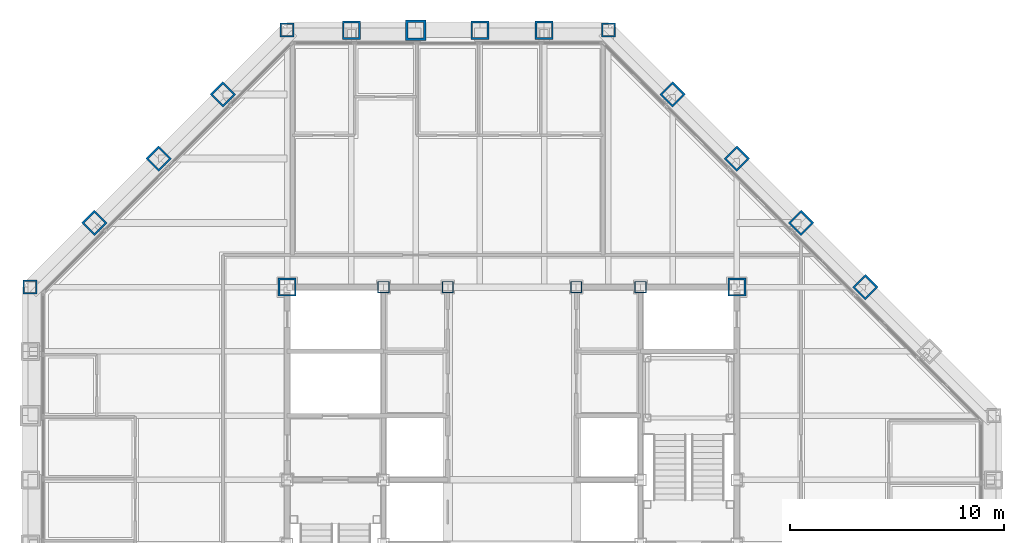
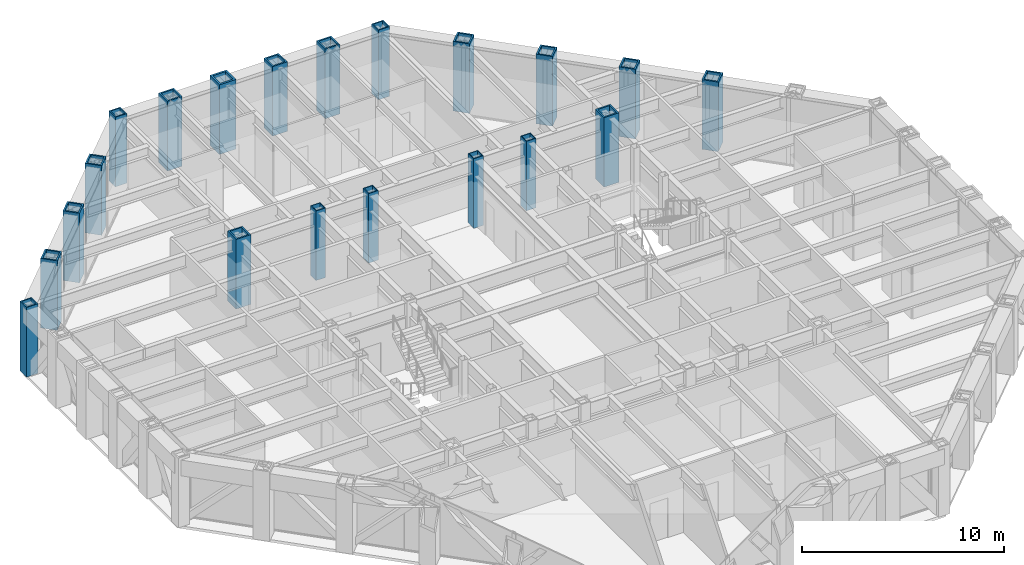
# One storey, part 4 of 16: 20 columns.
"""IFC4 building model written with IfcOpenShell, lengths in metres."""

from ifc_helpers import new_model, si_unit, direction, frame, origin, origin_2d, place, context, subcontext, project, spatial, hollow_rectangle, extrude, material, material_profile, profile_set, type_object, element, save


model = new_model("IFC4")

# Units and contexts
model_context = context("Model", 3, precision=1e-05, world=origin(), true_north=direction((0.0, 1.0)))
body_context = subcontext(model_context, "Body", "Model", "MODEL_VIEW")
ifc_project = project(units=[si_unit("LENGTHUNIT", "METRE"), si_unit("AREAUNIT", "SQUARE_METRE"), si_unit("VOLUMEUNIT", "CUBIC_METRE"), si_unit("PLANEANGLEUNIT", "RADIAN"), si_unit("MASSUNIT", "GRAM", prefix="KILO")], contexts=[model_context])

# Site, building, storey
site_placement = place(None, origin())
site = spatial("IfcSite", under=ifc_project, at=site_placement, CompositionType="ELEMENT")
building_placement = place(site_placement, origin())
building = spatial("IfcBuilding", under=site, at=building_placement, Name="Chuquiago Exchange Tower", CompositionType="ELEMENT")
storey_placement = place(building_placement, frame((0.0, 0.0, 243.300048828125)))
storey = spatial("IfcBuildingStorey", under=building, at=storey_placement, Name="L54", CompositionType="ELEMENT", Elevation=243.300048828125)

# Columns
ifc_material_1 = material(Name="Steel ASTM A572 Grade 50", Category="steel")
ifc_material_profile_1 = material_profile(ifc_material_1, hollow_rectangle(XDim=0.85009765625, YDim=0.85009765625, WallThickness=0.0849609375, at=origin_2d()), Name="BOX850X850X85")
ifc_profile_set_1 = profile_set([ifc_material_profile_1], Name="Steel ASTM A572 Grade 50")
column_type_1 = type_object("IfcColumnType", Name="C6 BOX850X850X85", PredefinedType="COLUMN", material=ifc_profile_set_1)
for number, where, z_axis, x_axis, name in (
    (1, (39.0, 33.0, 0.0), (0.0, 0.0, 1.0), (0.707106781187, 0.707106781187, 0.0), "COL-L54-39_33"),
    (2, (36.0, 36.0, 0.0), (0.0, 0.0, 1.0), (0.707106781187, 0.707106781187, 0.0), "COL-L54-36_36"),
    (3, (33.0, 39.0, 0.0), (0.0, 0.0, 1.0), (0.707106781187, 0.707106781187, 0.0), "COL-L54-33_39"),
    (4, (30.0, 42.0, 0.0), (0.0, 0.0, 1.0), (0.707106781187, 0.707106781187, 0.0), "COL-L54-30_42"),
    (5, (24.0, 45.0, 0.0), (0.0, 0.0, 1.0), (0.0, 1.0, 0.0), "COL-L54-24_45"),
    (6, (21.0, 45.0, 0.0), (0.0, 0.0, 1.0), (0.0, 1.0, 0.0), "COL-L54-21_45"),
    (7, (15.0, 45.0, 0.0), (0.0, 0.0, 1.0), (0.0, 1.0, 0.0), "COL-L54-15_45"),
    (8, (9.0, 42.0, 0.0), (0.0, 0.0, 1.0), (-0.707106781187, 0.707106781187, 0.0), "COL-L54-9_42"),
    (9, (6.0, 39.0, 0.0), (0.0, 0.0, 1.0), (-0.707106781187, 0.707106781187, 0.0), "COL-L54-6_39"),
    (10, (3.0, 36.0, 0.0), (0.0, 0.0, 1.0), (-0.707106781187, 0.707106781187, 0.0), "COL-L54-3_36"),
):
    element("IfcColumn", number, at=place(storey_placement, frame(where, z_axis=z_axis, x_axis=x_axis)), inside=storey, type_object=column_type_1, Name=name, PredefinedType="COLUMN", context=body_context, shape_type="SweptSolid", body=[
        extrude(hollow_rectangle(XDim=0.85009765625, YDim=0.85009765625, WallThickness=0.0849609375, at=origin_2d()), origin(), (0.0, 0.0, 1.0), 4.199951171875),
    ])
ifc_material_2 = material(Name="Steel ASTM A572 Grade 50", Category="steel")
ifc_material_profile_2 = material_profile(ifc_material_2, hollow_rectangle(XDim=0.85009765625, YDim=0.85009765625, WallThickness=0.0849609375, at=origin_2d()), Name="BOX850X850X85")
ifc_profile_set_2 = profile_set([ifc_material_profile_2], Name="Steel ASTM A572 Grade 50")
column_type_2 = type_object("IfcColumnType", Name="CC6 BOX850X850X85", PredefinedType="COLUMN", material=ifc_profile_set_2)
for number, where, z_axis, x_axis, name in (
    (11, (12.0, 33.0, 0.0), (0.0, 0.0, 1.0), (1.0, 0.0, 0.0), "CCOL-L54-12_33"),
    (12, (33.0, 33.0, 0.0), (0.0, 0.0, 1.0), (1.0, 0.0, 0.0), "CCOL-L54-33_33"),
):
    element("IfcColumn", number, at=place(storey_placement, frame(where, z_axis=z_axis, x_axis=x_axis)), inside=storey, type_object=column_type_2, Name=name, PredefinedType="COLUMN", context=body_context, shape_type="SweptSolid", body=[
        extrude(hollow_rectangle(XDim=0.85009765625, YDim=0.85009765625, WallThickness=0.0849609375, at=origin_2d()), origin(), (0.0, 0.0, 1.0), 4.199951171875),
    ])
ifc_material_3 = material(Name="Steel ASTM A572 Grade 50", Category="steel")
ifc_material_profile_3 = material_profile(ifc_material_3, hollow_rectangle(XDim=0.550048828125, YDim=0.550048828125, WallThickness=0.044921875, at=origin_2d()), Name="BOX550X550X45")
ifc_profile_set_3 = profile_set([ifc_material_profile_3], Name="Steel ASTM A572 Grade 50")
column_type_3 = type_object("IfcColumnType", Name="CC8 BOX550X550X45", PredefinedType="COLUMN", material=ifc_profile_set_3)
for number, where, z_axis, x_axis, name in (
    (13, (16.5, 33.0, 0.0), (0.0, 0.0, 1.0), (1.0, 0.0, 0.0), "CCOL-L54-16.5_33"),
    (14, (19.5, 33.0, 0.0), (0.0, 0.0, 1.0), (1.0, 0.0, 0.0), "CCOL-L54-19.5_33"),
    (15, (25.5, 33.0, 0.0), (0.0, 0.0, 1.0), (1.0, 0.0, 0.0), "CCOL-L54-25.5_33"),
    (16, (28.5, 33.0, 0.0), (0.0, 0.0, 1.0), (1.0, 0.0, 0.0), "CCOL-L54-28.5_33"),
):
    element("IfcColumn", number, at=place(storey_placement, frame(where, z_axis=z_axis, x_axis=x_axis)), inside=storey, type_object=column_type_3, Name=name, PredefinedType="COLUMN", context=body_context, shape_type="SweptSolid", body=[
        extrude(hollow_rectangle(XDim=0.550048828125, YDim=0.550048828125, WallThickness=0.044921875, at=origin_2d()), origin(), (0.0, 0.0, 1.0), 4.199951171875),
    ])
ifc_material_4 = material(Name="Steel ASTM A572 Grade 50", Category="steel")
ifc_material_profile_4 = material_profile(ifc_material_4, hollow_rectangle(XDim=0.64990234375, YDim=0.64990234375, WallThickness=0.06494140625, at=origin_2d()), Name="BOX650X650X65")
ifc_profile_set_4 = profile_set([ifc_material_profile_4], Name="Steel ASTM A572 Grade 50")
column_type_4 = type_object("IfcColumnType", Name="CN2 BOX650X650X65", PredefinedType="COLUMN", material=ifc_profile_set_4)
for number, where, z_axis, x_axis, name in (
    (17, (27.0, 45.0, 0.0), (0.0, 0.0, 1.0), (0.0, 1.0, 0.0), "COL-L54-27_45"),
    (18, (12.0, 45.0, 0.0), (0.0, 0.0, 1.0), (0.0, 1.0, 0.0), "COL-L54-12_45"),
    (19, (0.0, 33.0, 0.0), (0.0, 0.0, 1.0), (-1.0, 0.0, 0.0), "COL-L54-0_33"),
):
    element("IfcColumn", number, at=place(storey_placement, frame(where, z_axis=z_axis, x_axis=x_axis)), inside=storey, type_object=column_type_4, Name=name, PredefinedType="COLUMN", context=body_context, shape_type="SweptSolid", body=[
        extrude(hollow_rectangle(XDim=0.64990234375, YDim=0.64990234375, WallThickness=0.06494140625, at=origin_2d()), origin(), (0.0, 0.0, 1.0), 4.199951171875),
    ])
ifc_material_5 = material(Name="Steel ASTM A572 Grade 42", Category="steel")
ifc_material_profile_5 = material_profile(ifc_material_5, hollow_rectangle(XDim=0.949951171875, YDim=0.949951171875, WallThickness=0.110107421875, at=origin_2d()), Name="BOX950X950X110")
ifc_profile_set_5 = profile_set([ifc_material_profile_5], Name="Steel ASTM A572 Grade 42")
column_type_5 = type_object("IfcColumnType", Name="CT1 BOX950X950X110", PredefinedType="COLUMN", material=ifc_profile_set_5)
column_placement = place(storey_placement, frame((18.0, 45.0, 0.0), z_axis=(0.0, 0.0, 1.0), x_axis=(0.0, 1.0, 0.0)))
element("IfcColumn", 20, at=column_placement, inside=storey, type_object=column_type_5, Name="COL-L54-18_45", PredefinedType="COLUMN", context=body_context, shape_type="SweptSolid", body=[
    extrude(hollow_rectangle(XDim=0.949951171875, YDim=0.949951171875, WallThickness=0.110107421875, at=origin_2d()), origin(), (0.0, 0.0, 1.0), 4.199951171875),
])

save(model, "model.ifc")
